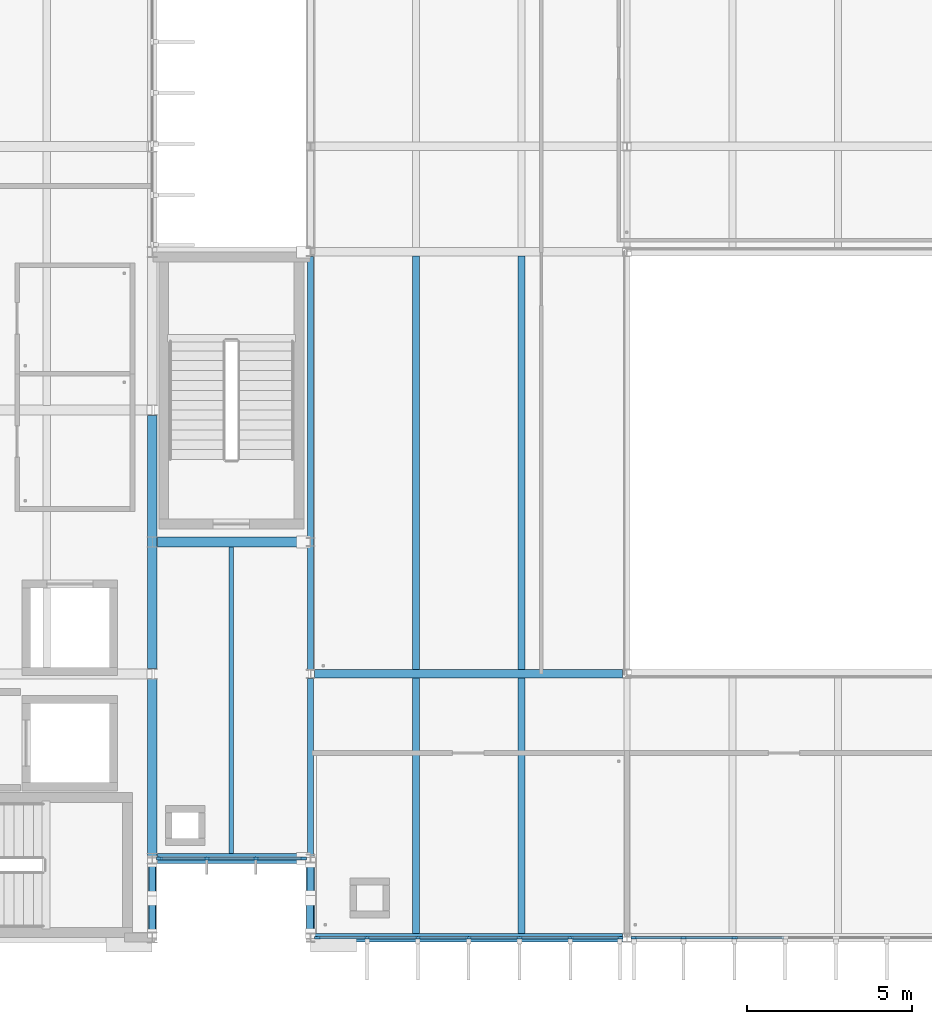
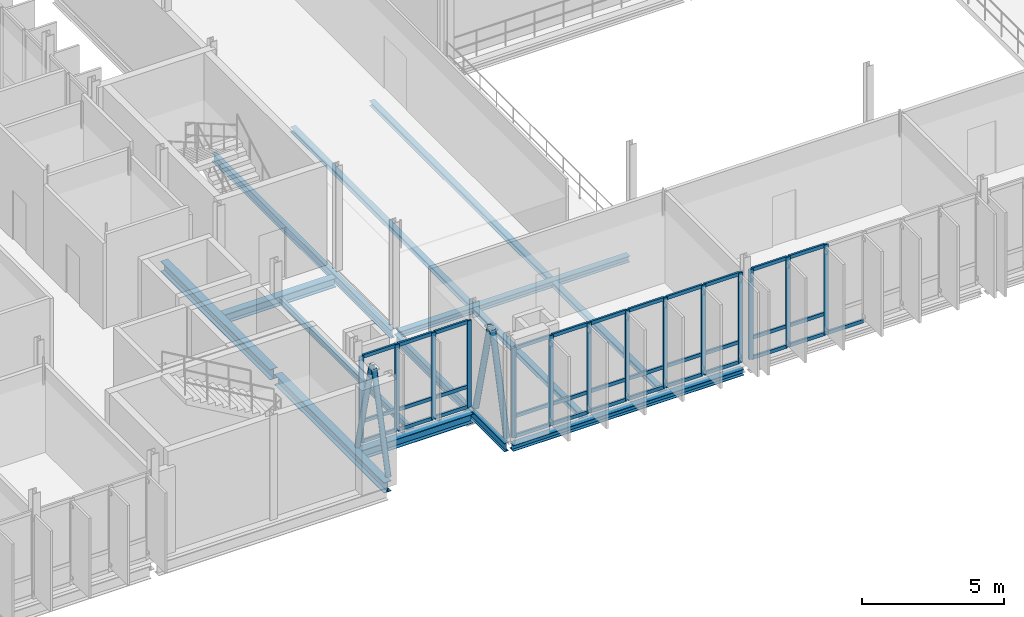
# One storey, part 16 of 59: 52 members, 13 beams, 3 elements without a shape of their own.
"""IFC4 building model written with IfcOpenShell, lengths in metres."""

from ifc_helpers import new_model, si_unit, direction, frame, origin, origin_2d, place, context, subcontext, project, spatial, rectangle, hollow_circle, i_section, extrude, material, material_profile, profile_set, type_object, element, aggregate, save


model = new_model("IFC4")

# Units and contexts
model_context = context("Model", 3, precision=1e-05, world=origin(), true_north=direction((0.0, 1.0)))
body_context = subcontext(model_context, "Body", "Model", "MODEL_VIEW")
ifc_project = project(units=[si_unit("LENGTHUNIT", "METRE"), si_unit("AREAUNIT", "SQUARE_METRE"), si_unit("VOLUMEUNIT", "CUBIC_METRE"), si_unit("PLANEANGLEUNIT", "RADIAN"), si_unit("MASSUNIT", "GRAM", prefix="KILO")], contexts=[model_context])

# Site, building, storey
site_placement = place(None, origin())
site = spatial("IfcSite", under=ifc_project, at=site_placement, CompositionType="ELEMENT")
building_placement = place(site_placement, origin())
building = spatial("IfcBuilding", under=site, at=building_placement, Name="Dunescarp Central Library", CompositionType="ELEMENT")
storey_placement = place(building_placement, frame((0.0, 0.0, 18.60009765625)))
storey = spatial("IfcBuildingStorey", under=building, at=storey_placement, Name="L04", CompositionType="ELEMENT", Elevation=18.60009765625)

# Curtain wall, members
ifc_material_1 = material(Name="Marine-grade anodised aluminium 6063-T6", Category="aluminium")
curtain_wall_type_1 = type_object("IfcCurtainWallType", Name="ARC-CW-STICK", PredefinedType="NOTDEFINED", material=ifc_material_1)
curtain_wall_1_placement = place(storey_placement, origin())
curtain_wall_1 = element("IfcCurtainWall", 1, at=curtain_wall_1_placement, inside=storey, type_object=curtain_wall_type_1, Name="L04 curtain wall CW-V2-067", PredefinedType="NOTDEFINED")
ifc_material_profile_1 = material_profile(ifc_material_1, rectangle(XDim=0.080078125, YDim=0.179931640625, at=origin_2d()), Name="AL 80x180")
ifc_profile_set_1 = profile_set([ifc_material_profile_1], Name="Marine-grade anodised aluminium 6063-T6")
member_type_1 = type_object("IfcMemberType", Name="ARC-CWM-180", PredefinedType="MULLION", material=ifc_profile_set_1)
member_1_placement = place(storey_placement, frame((47.784912109375, 4.800048828125, 0.0), z_axis=(0.0, 0.0, 1.0), x_axis=(0.0, -1.0, 0.0)))
member_1 = element("IfcMember", 2, at=member_1_placement, type_object=member_type_1, Name="CW-V2-067 mullion 1", PredefinedType="MULLION", context=body_context, shape_type="SweptSolid", body=[
    extrude(rectangle(XDim=0.080078125, YDim=0.179931640625, at=origin_2d()), origin(), (0.0, 0.0, 1.0), 3.85498046875),
])
member_2_placement = place(storey_placement, frame((46.283447265625, 4.800048828125, 0.0), z_axis=(0.0, 0.0, 1.0), x_axis=(0.0, -1.0, 0.0)))
member_2 = element("IfcMember", 3, at=member_2_placement, type_object=member_type_1, Name="CW-V2-067 mullion 2", PredefinedType="MULLION", context=body_context, shape_type="SweptSolid", body=[
    extrude(rectangle(XDim=0.080078125, YDim=0.179931640625, at=origin_2d()), origin(), (0.0, 0.0, 1.0), 3.85498046875),
])
member_3_placement = place(storey_placement, frame((44.74169921875, 4.800048828125, 0.0), z_axis=(0.0, 0.0, 1.0), x_axis=(0.0, -1.0, 0.0)))
member_3 = element("IfcMember", 4, at=member_3_placement, type_object=member_type_1, Name="CW-V2-067 mullion 3", PredefinedType="MULLION", context=body_context, shape_type="SweptSolid", body=[
    extrude(rectangle(XDim=0.080078125, YDim=0.179931640625, at=origin_2d()), origin(), (0.0, 0.0, 1.0), 3.85498046875),
])
member_4_placement = place(storey_placement, frame((43.199951171875, 4.800048828125, 0.0), z_axis=(0.0, 0.0, 1.0), x_axis=(0.0, -1.0, 0.0)))
member_4 = element("IfcMember", 5, at=member_4_placement, type_object=member_type_1, Name="CW-V2-067 mullion 4", PredefinedType="MULLION", context=body_context, shape_type="SweptSolid", body=[
    extrude(rectangle(XDim=0.080078125, YDim=0.179931640625, at=origin_2d()), origin(), (0.0, 0.0, 1.0), 3.85498046875),
])
member_5_placement = place(storey_placement, frame((41.658447265625, 4.800048828125, 0.0), z_axis=(0.0, 0.0, 1.0), x_axis=(0.0, -1.0, 0.0)))
member_5 = element("IfcMember", 6, at=member_5_placement, type_object=member_type_1, Name="CW-V2-067 mullion 5", PredefinedType="MULLION", context=body_context, shape_type="SweptSolid", body=[
    extrude(rectangle(XDim=0.080078125, YDim=0.179931640625, at=origin_2d()), origin(), (0.0, 0.0, 1.0), 3.85498046875),
])
member_6_placement = place(storey_placement, frame((40.11669921875, 4.800048828125, 0.0), z_axis=(0.0, 0.0, 1.0), x_axis=(0.0, -1.0, 0.0)))
member_6 = element("IfcMember", 7, at=member_6_placement, type_object=member_type_1, Name="CW-V2-067 mullion 6", PredefinedType="MULLION", context=body_context, shape_type="SweptSolid", body=[
    extrude(rectangle(XDim=0.080078125, YDim=0.179931640625, at=origin_2d()), origin(), (0.0, 0.0, 1.0), 3.85498046875),
])
member_7_placement = place(storey_placement, frame((38.614990234375, 4.800048828125, 0.0), z_axis=(0.0, 0.0, 1.0), x_axis=(0.0, -1.0, 0.0)))
member_7 = element("IfcMember", 8, at=member_7_placement, type_object=member_type_1, Name="CW-V2-067 mullion 7", PredefinedType="MULLION", context=body_context, shape_type="SweptSolid", body=[
    extrude(rectangle(XDim=0.080078125, YDim=0.179931640625, at=origin_2d()), origin(), (0.0, 0.0, 1.0), 3.85498046875),
])

curtain_wall_2_placement = place(storey_placement, origin())
curtain_wall_2 = element("IfcCurtainWall", 9, at=curtain_wall_2_placement, inside=storey, type_object=curtain_wall_type_1, Name="L04 curtain wall CW-V2-068", PredefinedType="NOTDEFINED")
member_8_placement = place(storey_placement, frame((51.25830078125, 4.800048828125, 0.0), z_axis=(0.0, 0.0, 1.0), x_axis=(0.0, -1.0, 0.0)))
member_8 = element("IfcMember", 10, at=member_8_placement, type_object=member_type_1, Name="CW-V2-068 mullion 5", PredefinedType="MULLION", context=body_context, shape_type="SweptSolid", body=[
    extrude(rectangle(XDim=0.080078125, YDim=0.179931640625, at=origin_2d()), origin(), (0.0, 0.0, 1.0), 3.85498046875),
])
member_9_placement = place(storey_placement, frame((49.716552734375, 4.800048828125, 0.0), z_axis=(0.0, 0.0, 1.0), x_axis=(0.0, -1.0, 0.0)))
member_9 = element("IfcMember", 11, at=member_9_placement, type_object=member_type_1, Name="CW-V2-068 mullion 6", PredefinedType="MULLION", context=body_context, shape_type="SweptSolid", body=[
    extrude(rectangle(XDim=0.080078125, YDim=0.179931640625, at=origin_2d()), origin(), (0.0, 0.0, 1.0), 3.85498046875),
])
member_10_placement = place(storey_placement, frame((48.215087890625, 4.800048828125, 0.0), z_axis=(0.0, 0.0, 1.0), x_axis=(0.0, -1.0, 0.0)))
member_10 = element("IfcMember", 12, at=member_10_placement, type_object=member_type_1, Name="CW-V2-068 mullion 7", PredefinedType="MULLION", context=body_context, shape_type="SweptSolid", body=[
    extrude(rectangle(XDim=0.080078125, YDim=0.179931640625, at=origin_2d()), origin(), (0.0, 0.0, 1.0), 3.85498046875),
])

curtain_wall_type_2 = type_object("IfcCurtainWallType", Name="ARC-CW-LINK", PredefinedType="USERDEFINED", material=ifc_material_1)
curtain_wall_3_placement = place(storey_placement, origin())
curtain_wall_3 = element("IfcCurtainWall", 13, at=curtain_wall_3_placement, inside=storey, type_object=curtain_wall_type_2, Name="L04 curtain wall CW-GL1-S-L04", ObjectType="GLAZED_LINK_WALL", PredefinedType="USERDEFINED")
member_11_placement = place(storey_placement, frame((38.18505859375, 7.199951171875, 0.0), z_axis=(0.0, 0.0, 1.0), x_axis=(0.0, -1.0, 0.0)))
member_11 = element("IfcMember", 14, at=member_11_placement, type_object=member_type_1, Name="CW-GL1-S-L04 mullion 1", PredefinedType="MULLION", context=body_context, shape_type="SweptSolid", body=[
    extrude(rectangle(XDim=0.080078125, YDim=0.179931640625, at=origin_2d()), origin(), (0.0, 0.0, 1.0), 3.7109375),
])
member_12_placement = place(storey_placement, frame((36.74169921875, 7.199951171875, 0.0), z_axis=(0.0, 0.0, 1.0), x_axis=(0.0, -1.0, 0.0)))
member_12 = element("IfcMember", 15, at=member_12_placement, type_object=member_type_1, Name="CW-GL1-S-L04 mullion 2", PredefinedType="MULLION", context=body_context, shape_type="SweptSolid", body=[
    extrude(rectangle(XDim=0.080078125, YDim=0.179931640625, at=origin_2d()), origin(), (0.0, 0.0, 1.0), 3.7109375),
])
member_13_placement = place(storey_placement, frame((35.25830078125, 7.199951171875, 0.0), z_axis=(0.0, 0.0, 1.0), x_axis=(0.0, -1.0, 0.0)))
member_13 = element("IfcMember", 16, at=member_13_placement, type_object=member_type_1, Name="CW-GL1-S-L04 mullion 3", PredefinedType="MULLION", context=body_context, shape_type="SweptSolid", body=[
    extrude(rectangle(XDim=0.080078125, YDim=0.179931640625, at=origin_2d()), origin(), (0.0, 0.0, 1.0), 3.7109375),
])
member_14_placement = place(storey_placement, frame((33.81494140625, 7.199951171875, 0.0), z_axis=(0.0, 0.0, 1.0), x_axis=(0.0, -1.0, 0.0)))
member_14 = element("IfcMember", 17, at=member_14_placement, type_object=member_type_1, Name="CW-GL1-S-L04 mullion 4", PredefinedType="MULLION", context=body_context, shape_type="SweptSolid", body=[
    extrude(rectangle(XDim=0.080078125, YDim=0.179931640625, at=origin_2d()), origin(), (0.0, 0.0, 1.0), 3.7109375),
])

# Member
ifc_material_profile_2 = material_profile(ifc_material_1, rectangle(XDim=0.080078125, YDim=0.14990234375, at=origin_2d()), Name="AL 80x150")
ifc_profile_set_2 = profile_set([ifc_material_profile_2], Name="Marine-grade anodised aluminium 6063-T6")
member_type_2 = type_object("IfcMemberType", Name="ARC-CWT-150", PredefinedType="USERDEFINED", material=ifc_profile_set_2)
member_15_placement = place(storey_placement, frame((47.7451171875, 4.800048828125, 0.039794921875), z_axis=(-1.0, 0.0, 0.0), x_axis=(0.0, -1.0, 0.0)))
member_15 = element("IfcMember", 18, at=member_15_placement, type_object=member_type_2, Name="CW-V2-067 transom 1.1", ObjectType="TRANSOM", PredefinedType="USERDEFINED", context=body_context, shape_type="SweptSolid", body=[
    extrude(rectangle(XDim=0.080078125, YDim=0.14990234375, at=origin_2d()), origin(), (0.0, 0.0, 1.0), 1.421875),
])

member_16_placement = place(storey_placement, frame((47.7451171875, 4.800048828125, 0.89990234375), z_axis=(-1.0, 0.0, 0.0), x_axis=(0.0, -1.0, 0.0)))
member_16 = element("IfcMember", 19, at=member_16_placement, type_object=member_type_2, Name="CW-V2-067 transom 1.2", ObjectType="TRANSOM", PredefinedType="USERDEFINED", context=body_context, shape_type="SweptSolid", body=[
    extrude(rectangle(XDim=0.080078125, YDim=0.14990234375, at=origin_2d()), origin(), (0.0, 0.0, 1.0), 1.421875),
])

member_17_placement = place(storey_placement, frame((47.7451171875, 4.800048828125, 3.81494140625), z_axis=(-1.0, 0.0, 0.0), x_axis=(0.0, -1.0, 0.0)))
member_17 = element("IfcMember", 20, at=member_17_placement, type_object=member_type_2, Name="CW-V2-067 transom 1.3", ObjectType="TRANSOM", PredefinedType="USERDEFINED", context=body_context, shape_type="SweptSolid", body=[
    extrude(rectangle(XDim=0.080078125, YDim=0.14990234375, at=origin_2d()), origin(), (0.0, 0.0, 1.0), 1.421875),
])

member_18_placement = place(storey_placement, frame((46.243408203125, 4.800048828125, 0.039794921875), z_axis=(-1.0, 0.0, 0.0), x_axis=(0.0, -1.0, 0.0)))
member_18 = element("IfcMember", 21, at=member_18_placement, type_object=member_type_2, Name="CW-V2-067 transom 2.1", ObjectType="TRANSOM", PredefinedType="USERDEFINED", context=body_context, shape_type="SweptSolid", body=[
    extrude(rectangle(XDim=0.080078125, YDim=0.14990234375, at=origin_2d()), origin(), (0.0, 0.0, 1.0), 1.461669921875),
])

member_19_placement = place(storey_placement, frame((46.243408203125, 4.800048828125, 0.89990234375), z_axis=(-1.0, 0.0, 0.0), x_axis=(0.0, -1.0, 0.0)))
member_19 = element("IfcMember", 22, at=member_19_placement, type_object=member_type_2, Name="CW-V2-067 transom 2.2", ObjectType="TRANSOM", PredefinedType="USERDEFINED", context=body_context, shape_type="SweptSolid", body=[
    extrude(rectangle(XDim=0.080078125, YDim=0.14990234375, at=origin_2d()), origin(), (0.0, 0.0, 1.0), 1.461669921875),
])

member_20_placement = place(storey_placement, frame((46.243408203125, 4.800048828125, 3.81494140625), z_axis=(-1.0, 0.0, 0.0), x_axis=(0.0, -1.0, 0.0)))
member_20 = element("IfcMember", 23, at=member_20_placement, type_object=member_type_2, Name="CW-V2-067 transom 2.3", ObjectType="TRANSOM", PredefinedType="USERDEFINED", context=body_context, shape_type="SweptSolid", body=[
    extrude(rectangle(XDim=0.080078125, YDim=0.14990234375, at=origin_2d()), origin(), (0.0, 0.0, 1.0), 1.461669921875),
])

member_21_placement = place(storey_placement, frame((44.70166015625, 4.800048828125, 0.039794921875), z_axis=(-1.0, 0.0, 0.0), x_axis=(0.0, -1.0, 0.0)))
member_21 = element("IfcMember", 24, at=member_21_placement, type_object=member_type_2, Name="CW-V2-067 transom 3.1", ObjectType="TRANSOM", PredefinedType="USERDEFINED", context=body_context, shape_type="SweptSolid", body=[
    extrude(rectangle(XDim=0.080078125, YDim=0.14990234375, at=origin_2d()), origin(), (0.0, 0.0, 1.0), 1.461669921875),
])

member_22_placement = place(storey_placement, frame((44.70166015625, 4.800048828125, 0.89990234375), z_axis=(-1.0, 0.0, 0.0), x_axis=(0.0, -1.0, 0.0)))
member_22 = element("IfcMember", 25, at=member_22_placement, type_object=member_type_2, Name="CW-V2-067 transom 3.2", ObjectType="TRANSOM", PredefinedType="USERDEFINED", context=body_context, shape_type="SweptSolid", body=[
    extrude(rectangle(XDim=0.080078125, YDim=0.14990234375, at=origin_2d()), origin(), (0.0, 0.0, 1.0), 1.461669921875),
])

member_23_placement = place(storey_placement, frame((44.70166015625, 4.800048828125, 3.81494140625), z_axis=(-1.0, 0.0, 0.0), x_axis=(0.0, -1.0, 0.0)))
member_23 = element("IfcMember", 26, at=member_23_placement, type_object=member_type_2, Name="CW-V2-067 transom 3.3", ObjectType="TRANSOM", PredefinedType="USERDEFINED", context=body_context, shape_type="SweptSolid", body=[
    extrude(rectangle(XDim=0.080078125, YDim=0.14990234375, at=origin_2d()), origin(), (0.0, 0.0, 1.0), 1.461669921875),
])

member_24_placement = place(storey_placement, frame((43.159912109375, 4.800048828125, 0.039794921875), z_axis=(-1.0, 0.0, 0.0), x_axis=(0.0, -1.0, 0.0)))
member_24 = element("IfcMember", 27, at=member_24_placement, type_object=member_type_2, Name="CW-V2-067 transom 4.1", ObjectType="TRANSOM", PredefinedType="USERDEFINED", context=body_context, shape_type="SweptSolid", body=[
    extrude(rectangle(XDim=0.080078125, YDim=0.14990234375, at=origin_2d()), origin(), (0.0, 0.0, 1.0), 1.461669921875),
])

member_25_placement = place(storey_placement, frame((43.159912109375, 4.800048828125, 0.89990234375), z_axis=(-1.0, 0.0, 0.0), x_axis=(0.0, -1.0, 0.0)))
member_25 = element("IfcMember", 28, at=member_25_placement, type_object=member_type_2, Name="CW-V2-067 transom 4.2", ObjectType="TRANSOM", PredefinedType="USERDEFINED", context=body_context, shape_type="SweptSolid", body=[
    extrude(rectangle(XDim=0.080078125, YDim=0.14990234375, at=origin_2d()), origin(), (0.0, 0.0, 1.0), 1.461669921875),
])

member_26_placement = place(storey_placement, frame((43.159912109375, 4.800048828125, 3.81494140625), z_axis=(-1.0, 0.0, 0.0), x_axis=(0.0, -1.0, 0.0)))
member_26 = element("IfcMember", 29, at=member_26_placement, type_object=member_type_2, Name="CW-V2-067 transom 4.3", ObjectType="TRANSOM", PredefinedType="USERDEFINED", context=body_context, shape_type="SweptSolid", body=[
    extrude(rectangle(XDim=0.080078125, YDim=0.14990234375, at=origin_2d()), origin(), (0.0, 0.0, 1.0), 1.461669921875),
])

member_27_placement = place(storey_placement, frame((41.618408203125, 4.800048828125, 0.039794921875), z_axis=(-1.0, 0.0, 0.0), x_axis=(0.0, -1.0, 0.0)))
member_27 = element("IfcMember", 30, at=member_27_placement, type_object=member_type_2, Name="CW-V2-067 transom 5.1", ObjectType="TRANSOM", PredefinedType="USERDEFINED", context=body_context, shape_type="SweptSolid", body=[
    extrude(rectangle(XDim=0.080078125, YDim=0.14990234375, at=origin_2d()), origin(), (0.0, 0.0, 1.0), 1.461669921875),
])

member_28_placement = place(storey_placement, frame((41.618408203125, 4.800048828125, 0.89990234375), z_axis=(-1.0, 0.0, 0.0), x_axis=(0.0, -1.0, 0.0)))
member_28 = element("IfcMember", 31, at=member_28_placement, type_object=member_type_2, Name="CW-V2-067 transom 5.2", ObjectType="TRANSOM", PredefinedType="USERDEFINED", context=body_context, shape_type="SweptSolid", body=[
    extrude(rectangle(XDim=0.080078125, YDim=0.14990234375, at=origin_2d()), origin(), (0.0, 0.0, 1.0), 1.461669921875),
])

member_29_placement = place(storey_placement, frame((41.618408203125, 4.800048828125, 3.81494140625), z_axis=(-1.0, 0.0, 0.0), x_axis=(0.0, -1.0, 0.0)))
member_29 = element("IfcMember", 32, at=member_29_placement, type_object=member_type_2, Name="CW-V2-067 transom 5.3", ObjectType="TRANSOM", PredefinedType="USERDEFINED", context=body_context, shape_type="SweptSolid", body=[
    extrude(rectangle(XDim=0.080078125, YDim=0.14990234375, at=origin_2d()), origin(), (0.0, 0.0, 1.0), 1.461669921875),
])

member_30_placement = place(storey_placement, frame((40.07666015625, 4.800048828125, 0.039794921875), z_axis=(-1.0, 0.0, 0.0), x_axis=(0.0, -1.0, 0.0)))
member_30 = element("IfcMember", 33, at=member_30_placement, type_object=member_type_2, Name="CW-V2-067 transom 6.1", ObjectType="TRANSOM", PredefinedType="USERDEFINED", context=body_context, shape_type="SweptSolid", body=[
    extrude(rectangle(XDim=0.080078125, YDim=0.14990234375, at=origin_2d()), origin(), (0.0, 0.0, 1.0), 1.421630859375),
])

member_31_placement = place(storey_placement, frame((40.07666015625, 4.800048828125, 0.89990234375), z_axis=(-1.0, 0.0, 0.0), x_axis=(0.0, -1.0, 0.0)))
member_31 = element("IfcMember", 34, at=member_31_placement, type_object=member_type_2, Name="CW-V2-067 transom 6.2", ObjectType="TRANSOM", PredefinedType="USERDEFINED", context=body_context, shape_type="SweptSolid", body=[
    extrude(rectangle(XDim=0.080078125, YDim=0.14990234375, at=origin_2d()), origin(), (0.0, 0.0, 1.0), 1.421630859375),
])

member_32_placement = place(storey_placement, frame((40.07666015625, 4.800048828125, 3.81494140625), z_axis=(-1.0, 0.0, 0.0), x_axis=(0.0, -1.0, 0.0)))
member_32 = element("IfcMember", 35, at=member_32_placement, type_object=member_type_2, Name="CW-V2-067 transom 6.3", ObjectType="TRANSOM", PredefinedType="USERDEFINED", context=body_context, shape_type="SweptSolid", body=[
    extrude(rectangle(XDim=0.080078125, YDim=0.14990234375, at=origin_2d()), origin(), (0.0, 0.0, 1.0), 1.421630859375),
])

aggregate(curtain_wall_1, [member_1, member_2, member_3, member_4, member_5, member_6, member_7, member_15, member_16, member_17, member_18, member_19, member_20, member_21, member_22, member_23, member_24, member_25, member_26, member_27, member_28, member_29, member_30, member_31, member_32])

member_33_placement = place(storey_placement, frame((52.760009765625, 4.800048828125, 0.039794921875), z_axis=(-1.0, 0.0, 0.0), x_axis=(0.0, -1.0, 0.0)))
member_33 = element("IfcMember", 36, at=member_33_placement, type_object=member_type_2, Name="CW-V2-068 transom 4.1", ObjectType="TRANSOM", PredefinedType="USERDEFINED", context=body_context, shape_type="SweptSolid", body=[
    extrude(rectangle(XDim=0.080078125, YDim=0.14990234375, at=origin_2d()), origin(), (0.0, 0.0, 1.0), 1.461669921875),
])

member_34_placement = place(storey_placement, frame((51.21826171875, 4.800048828125, 0.039794921875), z_axis=(-1.0, 0.0, 0.0), x_axis=(0.0, -1.0, 0.0)))
member_34 = element("IfcMember", 37, at=member_34_placement, type_object=member_type_2, Name="CW-V2-068 transom 5.1", ObjectType="TRANSOM", PredefinedType="USERDEFINED", context=body_context, shape_type="SweptSolid", body=[
    extrude(rectangle(XDim=0.080078125, YDim=0.14990234375, at=origin_2d()), origin(), (0.0, 0.0, 1.0), 1.461669921875),
])

member_35_placement = place(storey_placement, frame((51.21826171875, 4.800048828125, 0.89990234375), z_axis=(-1.0, 0.0, 0.0), x_axis=(0.0, -1.0, 0.0)))
member_35 = element("IfcMember", 38, at=member_35_placement, type_object=member_type_2, Name="CW-V2-068 transom 5.2", ObjectType="TRANSOM", PredefinedType="USERDEFINED", context=body_context, shape_type="SweptSolid", body=[
    extrude(rectangle(XDim=0.080078125, YDim=0.14990234375, at=origin_2d()), origin(), (0.0, 0.0, 1.0), 1.461669921875),
])

member_36_placement = place(storey_placement, frame((51.21826171875, 4.800048828125, 3.81494140625), z_axis=(-1.0, 0.0, 0.0), x_axis=(0.0, -1.0, 0.0)))
member_36 = element("IfcMember", 39, at=member_36_placement, type_object=member_type_2, Name="CW-V2-068 transom 5.3", ObjectType="TRANSOM", PredefinedType="USERDEFINED", context=body_context, shape_type="SweptSolid", body=[
    extrude(rectangle(XDim=0.080078125, YDim=0.14990234375, at=origin_2d()), origin(), (0.0, 0.0, 1.0), 1.461669921875),
])

member_37_placement = place(storey_placement, frame((49.6767578125, 4.800048828125, 0.039794921875), z_axis=(-1.0, 0.0, 0.0), x_axis=(0.0, -1.0, 0.0)))
member_37 = element("IfcMember", 40, at=member_37_placement, type_object=member_type_2, Name="CW-V2-068 transom 6.1", ObjectType="TRANSOM", PredefinedType="USERDEFINED", context=body_context, shape_type="SweptSolid", body=[
    extrude(rectangle(XDim=0.080078125, YDim=0.14990234375, at=origin_2d()), origin(), (0.0, 0.0, 1.0), 1.421875),
])

member_38_placement = place(storey_placement, frame((49.6767578125, 4.800048828125, 0.89990234375), z_axis=(-1.0, 0.0, 0.0), x_axis=(0.0, -1.0, 0.0)))
member_38 = element("IfcMember", 41, at=member_38_placement, type_object=member_type_2, Name="CW-V2-068 transom 6.2", ObjectType="TRANSOM", PredefinedType="USERDEFINED", context=body_context, shape_type="SweptSolid", body=[
    extrude(rectangle(XDim=0.080078125, YDim=0.14990234375, at=origin_2d()), origin(), (0.0, 0.0, 1.0), 1.421875),
])

member_39_placement = place(storey_placement, frame((49.6767578125, 4.800048828125, 3.81494140625), z_axis=(-1.0, 0.0, 0.0), x_axis=(0.0, -1.0, 0.0)))
member_39 = element("IfcMember", 42, at=member_39_placement, type_object=member_type_2, Name="CW-V2-068 transom 6.3", ObjectType="TRANSOM", PredefinedType="USERDEFINED", context=body_context, shape_type="SweptSolid", body=[
    extrude(rectangle(XDim=0.080078125, YDim=0.14990234375, at=origin_2d()), origin(), (0.0, 0.0, 1.0), 1.421875),
])

aggregate(curtain_wall_2, [member_8, member_9, member_10, member_33, member_34, member_35, member_36, member_37, member_38, member_39])

member_40_placement = place(storey_placement, frame((38.14501953125, 7.199951171875, 0.039794921875), z_axis=(-1.0, 0.0, 0.0), x_axis=(0.0, -1.0, 0.0)))
member_40 = element("IfcMember", 43, at=member_40_placement, type_object=member_type_2, Name="CW-GL1-S-L04 transom 1.1", ObjectType="TRANSOM", PredefinedType="USERDEFINED", context=body_context, shape_type="SweptSolid", body=[
    extrude(rectangle(XDim=0.080078125, YDim=0.14990234375, at=origin_2d()), origin(), (0.0, 0.0, 1.0), 1.36328125),
])

member_41_placement = place(storey_placement, frame((38.14501953125, 7.199951171875, 0.89990234375), z_axis=(-1.0, 0.0, 0.0), x_axis=(0.0, -1.0, 0.0)))
member_41 = element("IfcMember", 44, at=member_41_placement, type_object=member_type_2, Name="CW-GL1-S-L04 transom 1.2", ObjectType="TRANSOM", PredefinedType="USERDEFINED", context=body_context, shape_type="SweptSolid", body=[
    extrude(rectangle(XDim=0.080078125, YDim=0.14990234375, at=origin_2d()), origin(), (0.0, 0.0, 1.0), 1.36328125),
])

member_42_placement = place(storey_placement, frame((38.14501953125, 7.199951171875, 3.6708984375), z_axis=(-1.0, 0.0, 0.0), x_axis=(0.0, -1.0, 0.0)))
member_42 = element("IfcMember", 45, at=member_42_placement, type_object=member_type_2, Name="CW-GL1-S-L04 transom 1.3", ObjectType="TRANSOM", PredefinedType="USERDEFINED", context=body_context, shape_type="SweptSolid", body=[
    extrude(rectangle(XDim=0.080078125, YDim=0.14990234375, at=origin_2d()), origin(), (0.0, 0.0, 1.0), 1.36328125),
])

member_43_placement = place(storey_placement, frame((36.70166015625, 7.199951171875, 0.039794921875), z_axis=(-1.0, 0.0, 0.0), x_axis=(0.0, -1.0, 0.0)))
member_43 = element("IfcMember", 46, at=member_43_placement, type_object=member_type_2, Name="CW-GL1-S-L04 transom 2.1", ObjectType="TRANSOM", PredefinedType="USERDEFINED", context=body_context, shape_type="SweptSolid", body=[
    extrude(rectangle(XDim=0.080078125, YDim=0.14990234375, at=origin_2d()), origin(), (0.0, 0.0, 1.0), 1.4033203125),
])

member_44_placement = place(storey_placement, frame((36.70166015625, 7.199951171875, 0.89990234375), z_axis=(-1.0, 0.0, 0.0), x_axis=(0.0, -1.0, 0.0)))
member_44 = element("IfcMember", 47, at=member_44_placement, type_object=member_type_2, Name="CW-GL1-S-L04 transom 2.2", ObjectType="TRANSOM", PredefinedType="USERDEFINED", context=body_context, shape_type="SweptSolid", body=[
    extrude(rectangle(XDim=0.080078125, YDim=0.14990234375, at=origin_2d()), origin(), (0.0, 0.0, 1.0), 1.4033203125),
])

member_45_placement = place(storey_placement, frame((36.70166015625, 7.199951171875, 3.6708984375), z_axis=(-1.0, 0.0, 0.0), x_axis=(0.0, -1.0, 0.0)))
member_45 = element("IfcMember", 48, at=member_45_placement, type_object=member_type_2, Name="CW-GL1-S-L04 transom 2.3", ObjectType="TRANSOM", PredefinedType="USERDEFINED", context=body_context, shape_type="SweptSolid", body=[
    extrude(rectangle(XDim=0.080078125, YDim=0.14990234375, at=origin_2d()), origin(), (0.0, 0.0, 1.0), 1.4033203125),
])

member_46_placement = place(storey_placement, frame((35.21826171875, 7.199951171875, 0.039794921875), z_axis=(-1.0, 0.0, 0.0), x_axis=(0.0, -1.0, 0.0)))
member_46 = element("IfcMember", 49, at=member_46_placement, type_object=member_type_2, Name="CW-GL1-S-L04 transom 3.1", ObjectType="TRANSOM", PredefinedType="USERDEFINED", context=body_context, shape_type="SweptSolid", body=[
    extrude(rectangle(XDim=0.080078125, YDim=0.14990234375, at=origin_2d()), origin(), (0.0, 0.0, 1.0), 1.36328125),
])

member_47_placement = place(storey_placement, frame((35.21826171875, 7.199951171875, 0.89990234375), z_axis=(-1.0, 0.0, 0.0), x_axis=(0.0, -1.0, 0.0)))
member_47 = element("IfcMember", 50, at=member_47_placement, type_object=member_type_2, Name="CW-GL1-S-L04 transom 3.2", ObjectType="TRANSOM", PredefinedType="USERDEFINED", context=body_context, shape_type="SweptSolid", body=[
    extrude(rectangle(XDim=0.080078125, YDim=0.14990234375, at=origin_2d()), origin(), (0.0, 0.0, 1.0), 1.36328125),
])

member_48_placement = place(storey_placement, frame((35.21826171875, 7.199951171875, 3.6708984375), z_axis=(-1.0, 0.0, 0.0), x_axis=(0.0, -1.0, 0.0)))
member_48 = element("IfcMember", 51, at=member_48_placement, type_object=member_type_2, Name="CW-GL1-S-L04 transom 3.3", ObjectType="TRANSOM", PredefinedType="USERDEFINED", context=body_context, shape_type="SweptSolid", body=[
    extrude(rectangle(XDim=0.080078125, YDim=0.14990234375, at=origin_2d()), origin(), (0.0, 0.0, 1.0), 1.36328125),
])

aggregate(curtain_wall_3, [member_11, member_12, member_13, member_14, member_40, member_41, member_42, member_43, member_44, member_45, member_46, member_47, member_48])

# Beams
ifc_material_2 = material(Name="Steel S355JR", Category="steel")
ifc_material_profile_3 = material_profile(ifc_material_2, i_section(OverallWidth=0.300048828125, OverallDepth=0.389892578125, WebThickness=0.010986328125, FlangeThickness=0.01904296875, at=origin_2d()), Name="HEA 400")
ifc_profile_set_3 = profile_set([ifc_material_profile_3], Name="Steel S355JR")
beam_type_1 = type_object("IfcBeamType", Name="STR-BM-HEA400", PredefinedType="BEAM", material=ifc_profile_set_3)
for number, where, z_axis, x_axis, name in (
    (52, (33.7529296875, 7.199951171875, -0.445068359375), (1.0, 0.0, 0.0), (0.0, 1.0, 0.0), "L04 girder BM-L04-1227"),
    (53, (33.7529296875, 16.800048828125, -0.445068359375), (1.0, 0.0, 0.0), (0.0, 1.0, 0.0), "L04 girder BM-L04-1228"),
):
    element("IfcBeam", number, at=place(storey_placement, frame(where, z_axis=z_axis, x_axis=x_axis)), inside=storey, type_object=beam_type_1, Name=name, PredefinedType="BEAM", context=body_context, shape_type="SweptSolid", body=[
        extrude(i_section(OverallWidth=0.300048828125, OverallDepth=0.389892578125, WebThickness=0.010986328125, FlangeThickness=0.01904296875, at=origin_2d()), origin(), (0.0, 0.0, 1.0), 4.52197265625),
    ])
ifc_material_profile_4 = material_profile(ifc_material_2, i_section(OverallWidth=0.260009765625, OverallDepth=0.260009765625, WebThickness=0.010009765625, FlangeThickness=0.017578125, at=origin_2d()), Name="HEB 260")
ifc_profile_set_4 = profile_set([ifc_material_profile_4], Name="Steel S355JR")
beam_type_2 = type_object("IfcBeamType", Name="STR-BM-HEB260", PredefinedType="BEAM", material=ifc_profile_set_4)
for number, where, z_axis, x_axis, name in (
    (54, (38.528076171875, 4.800048828125, -0.380126953125), (1.0, 0.0, 0.0), (0.0, 1.0, 0.0), "L04 girder BM-L04-0538"),
    (55, (38.528076171875, 12.800048828125, -0.380126953125), (1.0, 0.0, 0.0), (0.0, 1.0, 0.0), "L04 girder BM-L04-0539"),
):
    element("IfcBeam", number, at=place(storey_placement, frame(where, z_axis=z_axis, x_axis=x_axis)), inside=storey, type_object=beam_type_2, Name=name, PredefinedType="BEAM", context=body_context, shape_type="SweptSolid", body=[
        extrude(i_section(OverallWidth=0.260009765625, OverallDepth=0.260009765625, WebThickness=0.010009765625, FlangeThickness=0.017578125, at=origin_2d()), origin(), (0.0, 0.0, 1.0), 9.343994140625),
    ])
ifc_material_profile_5 = material_profile(ifc_material_2, i_section(OverallWidth=0.300048828125, OverallDepth=0.449951171875, WebThickness=0.013916015625, FlangeThickness=0.02587890625, at=origin_2d()), Name="HEB 450")
ifc_profile_set_5 = profile_set([ifc_material_profile_5], Name="Steel S355JR")
beam_type_3 = type_object("IfcBeamType", Name="STR-BM-HEB450", PredefinedType="BEAM", material=ifc_profile_set_5)
for number, where, z_axis, x_axis, name in (
    (56, (33.60009765625, 4.9609375, -0.47509765625), (0.0, 1.0, 0.0), (-1.0, 0.0, 0.0), "L04 girder BM-L04-0208"),
    (57, (33.60009765625, 12.9609375, -0.47509765625), (0.0, 1.0, 0.0), (-1.0, 0.0, 0.0), "L04 girder BM-L04-0210"),
):
    element("IfcBeam", number, at=place(storey_placement, frame(where, z_axis=z_axis, x_axis=x_axis)), inside=storey, type_object=beam_type_3, Name=name, PredefinedType="BEAM", context=body_context, shape_type="SweptSolid", body=[
        extrude(i_section(OverallWidth=0.300048828125, OverallDepth=0.449951171875, WebThickness=0.013916015625, FlangeThickness=0.02587890625, at=origin_2d()), origin(), (0.0, 0.0, 1.0), 7.677978515625),
    ])
ifc_material_profile_6 = material_profile(ifc_material_2, i_section(OverallWidth=0.173095703125, OverallDepth=0.36328125, WebThickness=0.009033203125, FlangeThickness=0.015625, at=origin_2d()), Name="UB 356x171x67")
ifc_profile_set_6 = profile_set([ifc_material_profile_6], Name="Steel S355JR")
beam_type_4 = type_object("IfcBeamType", Name="STR-BM-UB356X67", PredefinedType="BEAM", material=ifc_profile_set_6)
beam_1_placement = place(storey_placement, frame((38.39990234375, 4.93505859375, -0.43212890625), z_axis=(0.0, 1.0, 0.0), x_axis=(-1.0, 0.0, 0.0)))
element("IfcBeam", 58, at=beam_1_placement, inside=storey, type_object=beam_type_4, Name="L04 girder BM-L04-0540", PredefinedType="BEAM", context=body_context, shape_type="SweptSolid", body=[
    extrude(i_section(OverallWidth=0.173095703125, OverallDepth=0.36328125, WebThickness=0.009033203125, FlangeThickness=0.015625, at=origin_2d()), origin(), (0.0, 0.0, 1.0), 7.72998046875),
])
beam_2_placement = place(storey_placement, frame((38.39990234375, 12.93505859375, -0.43212890625), z_axis=(0.0, 1.0, 0.0), x_axis=(-1.0, 0.0, 0.0)))
element("IfcBeam", 59, at=beam_2_placement, inside=storey, type_object=beam_type_4, Name="L04 girder BM-L04-0545", PredefinedType="BEAM", context=body_context, shape_type="SweptSolid", body=[
    extrude(i_section(OverallWidth=0.173095703125, OverallDepth=0.36328125, WebThickness=0.009033203125, FlangeThickness=0.015625, at=origin_2d()), origin(), (0.0, 0.0, 1.0), 12.530029296875),
])

# Members
ifc_material_3 = material(Name="Steel S355J0", Category="steel")
ifc_material_profile_7 = material_profile(ifc_material_3, hollow_circle(Radius=0.109619140625, WallThickness=0.010009765625, at=origin_2d()), Name="CHS 219.1x10")
ifc_profile_set_7 = profile_set([ifc_material_profile_7], Name="Steel S355J0")
member_type_3 = type_object("IfcMemberType", Name="STR-BR-219", PredefinedType="BRACE", material=ifc_profile_set_7)
for number, where, z_axis, x_axis, name in (
    (60, (33.60009765625, 4.919921875, 0.0), (0.0, 0.24028506098, 0.970702369148), (-1.0, 0.0, 0.0), "L04 concentric brace BR-L04-009"),
    (61, (33.60009765625, 7.080078125, 0.0), (0.0, -0.24028506098, 0.970702369148), (1.0, 0.0, 0.0), "L04 concentric brace BR-L04-010"),
):
    element("IfcMember", number, at=place(storey_placement, frame(where, z_axis=z_axis, x_axis=x_axis)), inside=storey, type_object=member_type_3, Name=name, PredefinedType="BRACE", context=body_context, shape_type="SweptSolid", body=[
        extrude(hollow_circle(Radius=0.109619140625, WallThickness=0.010009765625, at=origin_2d()), origin(), (0.0, 0.0, 1.0), 4.16162109375),
    ])
ifc_material_profile_8 = material_profile(ifc_material_3, hollow_circle(Radius=0.122314453125, WallThickness=0.010009765625, at=origin_2d()), Name="CHS 244.5x10")
ifc_profile_set_8 = profile_set([ifc_material_profile_8], Name="Steel S355J0")
member_type_4 = type_object("IfcMemberType", Name="STR-BR-244", PredefinedType="BRACE", material=ifc_profile_set_8)
for number, where, z_axis, x_axis, name in (
    (62, (38.39990234375, 4.919921875, 0.0), (0.0, 0.24028506098, 0.970702369148), (-1.0, 0.0, 0.0), "L04 concentric brace BR-L04-021"),
    (63, (38.39990234375, 7.080078125, 0.0), (0.0, -0.24028506098, 0.970702369148), (1.0, 0.0, 0.0), "L04 concentric brace BR-L04-022"),
):
    element("IfcMember", number, at=place(storey_placement, frame(where, z_axis=z_axis, x_axis=x_axis)), inside=storey, type_object=member_type_4, Name=name, PredefinedType="BRACE", context=body_context, shape_type="SweptSolid", body=[
        extrude(hollow_circle(Radius=0.122314453125, WallThickness=0.010009765625, at=origin_2d()), origin(), (0.0, 0.0, 1.0), 4.16162109375),
    ])

# Beams
ifc_material_profile_9 = material_profile(ifc_material_2, i_section(OverallWidth=0.219970703125, OverallDepth=0.2099609375, WebThickness=0.007080078125, FlangeThickness=0.010986328125, at=origin_2d()), Name="HEA 220")
ifc_profile_set_9 = profile_set([ifc_material_profile_9], Name="Steel S355JR")
beam_type_5 = type_object("IfcBeamType", Name="STR-JS-HEA220", PredefinedType="JOIST", material=ifc_profile_set_9)
for number, where, z_axis, x_axis, name in (
    (64, (41.60009765625, 4.927978515625, -0.35498046875), (0.0, 1.0, 0.0), (-1.0, 0.0, 0.0), "L04 joist JS-L04-0542"),
    (65, (44.800048828125, 4.927978515625, -0.35498046875), (0.0, 1.0, 0.0), (-1.0, 0.0, 0.0), "L04 joist JS-L04-0543"),
):
    element("IfcBeam", number, at=place(storey_placement, frame(where, z_axis=z_axis, x_axis=x_axis)), inside=storey, type_object=beam_type_5, Name=name, PredefinedType="JOIST", context=body_context, shape_type="SweptSolid", body=[
        extrude(i_section(OverallWidth=0.219970703125, OverallDepth=0.2099609375, WebThickness=0.007080078125, FlangeThickness=0.010986328125, at=origin_2d()), origin(), (0.0, 0.0, 1.0), 7.744140625),
    ])
for number, where, z_axis, x_axis, name in (
    (66, (41.60009765625, 12.927978515625, -0.35498046875), (0.0, 1.0, 0.0), (-1.0, 0.0, 0.0), "L04 joist JS-L04-0547"),
    (67, (44.800048828125, 12.927978515625, -0.35498046875), (0.0, 1.0, 0.0), (-1.0, 0.0, 0.0), "L04 joist JS-L04-0548"),
):
    element("IfcBeam", number, at=place(storey_placement, frame(where, z_axis=z_axis, x_axis=x_axis)), inside=storey, type_object=beam_type_5, Name=name, PredefinedType="JOIST", context=body_context, shape_type="SweptSolid", body=[
        extrude(i_section(OverallWidth=0.219970703125, OverallDepth=0.2099609375, WebThickness=0.007080078125, FlangeThickness=0.010986328125, at=origin_2d()), origin(), (0.0, 0.0, 1.0), 12.5439453125),
    ])
ifc_material_profile_10 = material_profile(ifc_material_2, i_section(OverallWidth=0.135009765625, OverallDepth=0.27001953125, WebThickness=0.006591796875, FlangeThickness=0.01025390625, at=origin_2d()), Name="IPE 270")
ifc_profile_set_10 = profile_set([ifc_material_profile_10], Name="Steel S355JR")
beam_type_6 = type_object("IfcBeamType", Name="STR-JS-IPE270", PredefinedType="JOIST", material=ifc_profile_set_10)
beam_3_placement = place(storey_placement, frame((36.0, 7.347900390625, -0.385009765625), z_axis=(0.0, 1.0, 0.0), x_axis=(-1.0, 0.0, 0.0)))
element("IfcBeam", 68, at=beam_3_placement, inside=storey, type_object=beam_type_6, Name="L04 joist JS-L04-1229", PredefinedType="JOIST", context=body_context, shape_type="SweptSolid", body=[
    extrude(i_section(OverallWidth=0.135009765625, OverallDepth=0.27001953125, WebThickness=0.006591796875, FlangeThickness=0.01025390625, at=origin_2d()), origin(), (0.0, 0.0, 1.0), 9.30419921875),
])

save(model, "model.ifc")
